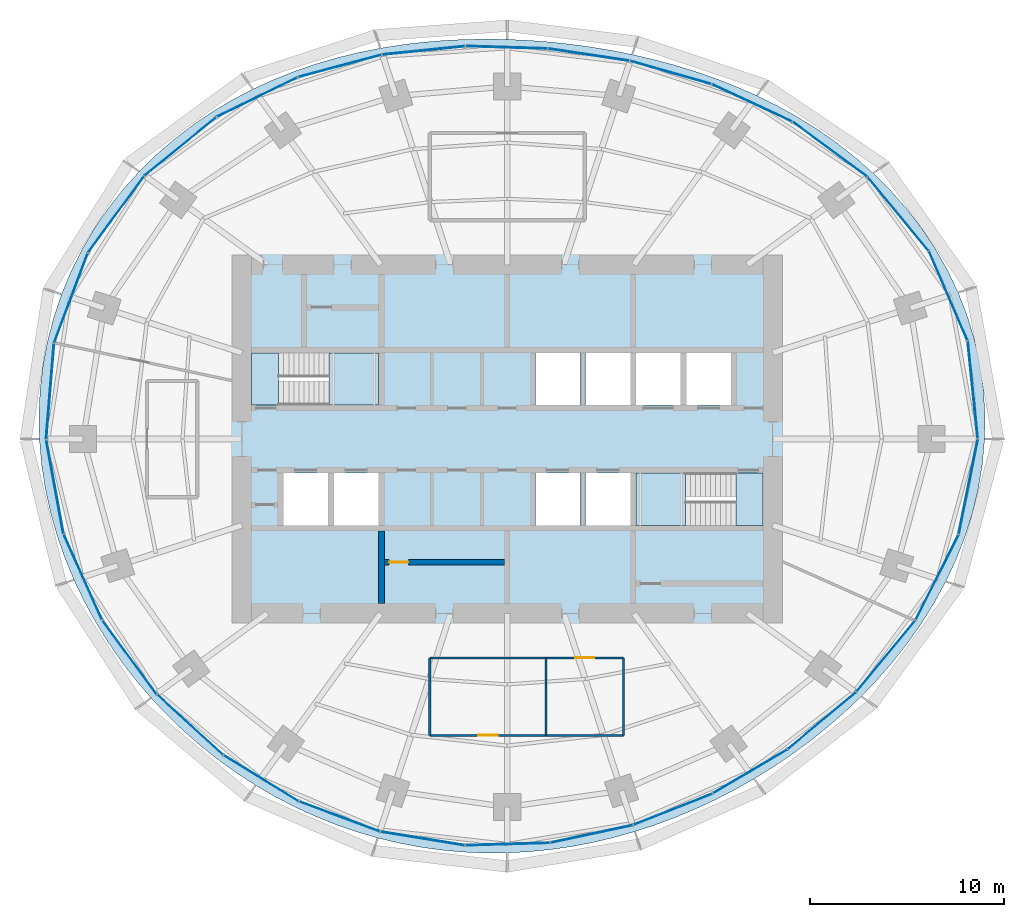
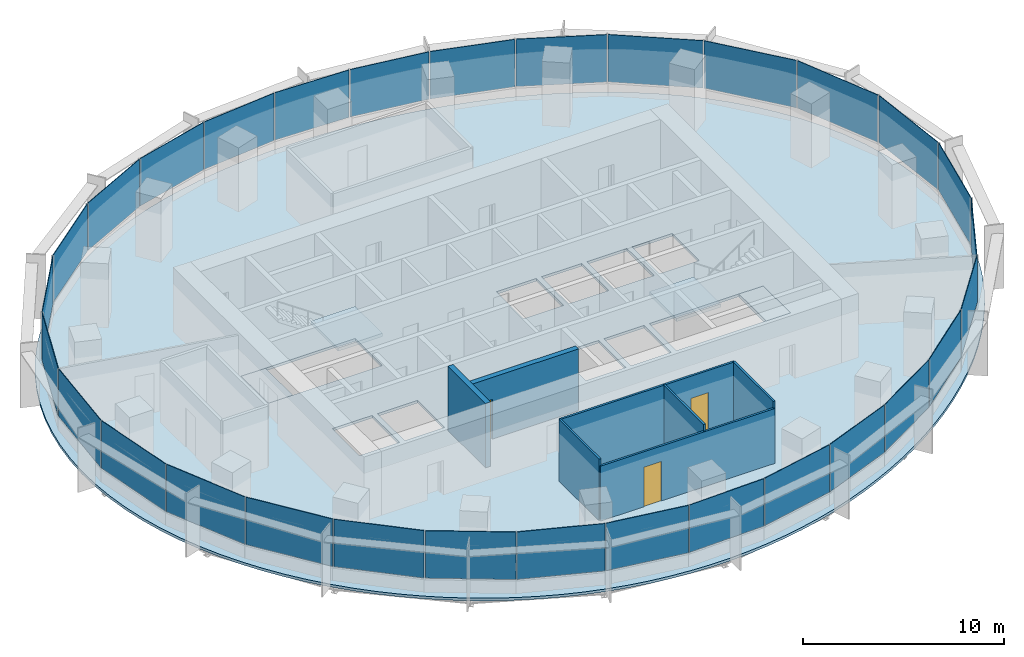
# One storey, part 9 of 14: 30 plates, 7 walls, 5 slabs, 3 doors, 3 openings, 8 elements without a shape of their own.
"""IFC4 building model written with IfcOpenShell, lengths in metres."""

from ifc_helpers import new_model, si_unit, direction, frame, frame_2d, origin, origin_2d, place, context, subcontext, project, spatial, polyline, rectangle, outline, extrude, material, layer, layer_set, type_object, element, fill, aggregate, save


model = new_model("IFC4")

# Units and contexts
model_context = context("Model", 3, precision=1e-05, world=origin(), true_north=direction((0.0, 1.0)))
body_context = subcontext(model_context, "Body", "Model", "MODEL_VIEW")
ifc_project = project(units=[si_unit("LENGTHUNIT", "METRE"), si_unit("AREAUNIT", "SQUARE_METRE"), si_unit("VOLUMEUNIT", "CUBIC_METRE"), si_unit("PLANEANGLEUNIT", "RADIAN"), si_unit("MASSUNIT", "GRAM", prefix="KILO")], contexts=[model_context])

# Site, building, storey
site_placement = place(None, origin())
site = spatial("IfcSite", under=ifc_project, at=site_placement, CompositionType="ELEMENT")
building_placement = place(site_placement, origin())
building = spatial("IfcBuilding", under=site, at=building_placement, Name="Marramba Exchange Tower", CompositionType="ELEMENT")
storey_placement = place(building_placement, frame((0.0, 0.0, 218.89990234375)))
storey = spatial("IfcBuildingStorey", under=building, at=storey_placement, Name="L53", CompositionType="ELEMENT", Elevation=218.89990234375)

# Slab
ifc_material_1 = material(Name="Concrete N40", Category="concrete")
ifc_layer_1 = layer(ifc_material_1, 0.159912109375)
ifc_layer_set_1 = layer_set([ifc_layer_1], Name="Composite floor slab 160")
slab_type_1 = type_object("IfcSlabType", Name="Composite floor slab 160", PredefinedType="FLOOR", material=ifc_layer_set_1)
slab_1_placement = place(storey_placement, frame((0.0, 0.0, -0.159912109375)))
element("IfcSlab", 1, at=slab_1_placement, inside=storey, type_object=slab_type_1, Name="Floor slab L53", PredefinedType="FLOOR", context=body_context, shape_type="SweptSolid", body=[
    extrude(outline(polyline([(24.64404296875, 0.0), (24.661376953125, 1.29248046875), (24.580078125, 2.58349609375), (24.399658203125, 3.864501953125), (24.12109375, 5.127197265625), (23.7470703125, 6.363037109375), (23.281494140625, 7.564697265625), (22.72900390625, 8.724853515625), (22.095947265625, 9.837646484375), (21.388427734375, 10.89794921875), (20.614013671875, 11.901611328125), (19.780029296875, 12.845458984375), (18.894287109375, 13.7275390625), (17.964111328125, 14.547119140625), (16.996826171875, 15.303955078125), (15.9990234375, 15.9990234375), (14.977294921875, 16.634033203125), (13.936767578125, 17.21044921875), (12.882568359375, 17.7314453125), (11.819091796875, 18.19970703125), (10.749267578125, 18.6181640625), (9.67578125, 18.989990234375), (8.60107421875, 19.318115234375), (7.52587890625, 19.60546875), (6.451171875, 19.8544921875), (5.377197265625, 20.067626953125), (4.303466796875, 20.246337890625), (3.229736328125, 20.39208984375), (2.1552734375, 20.50537109375), (1.078857421875, 20.5869140625), (0.0, 20.63623046875), (-1.082275390625, 20.652587890625), (-2.168701171875, 20.634765625), (-3.259765625, 20.580810546875), (-4.35498046875, 20.4892578125), (-5.45458984375, 20.35693359375), (-6.557373046875, 20.181884765625), (-7.662353515625, 19.9609375), (-8.76708984375, 19.691162109375), (-9.869384765625, 19.369873046875), (-10.96630859375, 18.994384765625), (-12.05419921875, 18.561767578125), (-13.128662109375, 18.070068359375), (-14.185546875, 17.517578125), (-15.218994140625, 16.902587890625), (-16.22412109375, 16.22412109375), (-17.195068359375, 15.482421875), (-18.12548828125, 14.677734375), (-19.009521484375, 13.811279296875), (-19.841064453125, 12.885009765625), (-20.614013671875, 11.901611328125), (-21.32275390625, 10.864501953125), (-21.9619140625, 9.778076171875), (-22.52685546875, 8.647216796875), (-23.01318359375, 7.477294921875), (-23.417724609375, 6.274658203125), (-23.73779296875, 5.045654296875), (-23.971923828125, 3.796875), (-24.119384765625, 2.53515625), (-24.180419921875, 1.267333984375), (-24.156005859375, 0.0), (-24.04833984375, -1.26025390625), (-23.860107421875, -2.5078125), (-23.594482421875, -3.737060546875), (-23.25537109375, -4.943115234375), (-22.846923828125, -6.121826171875), (-22.373291015625, -7.26953125), (-21.8388671875, -8.38330078125), (-21.247802734375, -9.460205078125), (-20.604248046875, -10.49853515625), (-19.912109375, -11.496337890625), (-19.174560546875, -12.4521484375), (-18.395263671875, -13.364990234375), (-17.5771484375, -14.233642578125), (-16.72265625, -15.05712890625), (-15.834228515625, -15.834228515625), (-14.914794921875, -16.564453125), (-13.966064453125, -17.24658203125), (-12.990234375, -17.879638671875), (-11.98974609375, -18.46240234375), (-10.96630859375, -18.994384765625), (-9.922607421875, -19.47412109375), (-8.860595703125, -19.901123046875), (-7.78271484375, -20.2744140625), (-6.691162109375, -20.593505859375), (-5.5888671875, -20.858154296875), (-4.478271484375, -21.068115234375), (-3.361328125, -21.22314453125), (-2.2412109375, -21.32373046875), (-1.119873046875, -21.370361328125), (0.0, -21.36376953125), (1.116455078125, -21.3046875), (2.2275390625, -21.194580078125), (3.33154296875, -21.0341796875), (4.426513671875, -20.8251953125), (5.511474609375, -20.56884765625), (6.5849609375, -20.266357421875), (7.646240234375, -19.919189453125), (8.694580078125, -19.528076171875), (9.72900390625, -19.09423828125), (10.749267578125, -18.6181640625), (11.75439453125, -18.100341796875), (12.744140625, -17.541015625), (13.71728515625, -16.939697265625), (14.6728515625, -16.2958984375), (15.609130859375, -15.609130859375), (16.5244140625, -14.878662109375), (17.415771484375, -14.10302734375), (18.280029296875, -13.28125), (19.11376953125, -12.41259765625), (19.912109375, -11.496337890625), (20.669921875, -10.531982421875), (21.3818359375, -9.519775390625), (22.041259765625, -8.4609375), (22.641845703125, -7.356689453125), (23.176513671875, -6.210205078125), (23.638671875, -5.024658203125), (24.022216796875, -3.8046875), (24.32080078125, -2.55615234375), (24.529541015625, -1.28564453125), (24.64404296875, 0.0)]), holes=[polyline([(1.449951171875, 1.75), (3.75, 1.75), (3.75, 4.449951171875), (1.449951171875, 4.449951171875), (1.449951171875, 1.75)]), polyline([(4.050048828125, 1.75), (6.35009765625, 1.75), (6.35009765625, 4.449951171875), (4.050048828125, 4.449951171875), (4.050048828125, 1.75)]), polyline([(1.449951171875, -4.449951171875), (3.75, -4.449951171875), (3.75, -1.75), (1.449951171875, -1.75), (1.449951171875, -4.449951171875)]), polyline([(4.050048828125, -4.449951171875), (6.35009765625, -4.449951171875), (6.35009765625, -1.75), (4.050048828125, -1.75), (4.050048828125, -4.449951171875)]), polyline([(6.64990234375, 1.75), (8.949951171875, 1.75), (8.949951171875, 4.449951171875), (6.64990234375, 4.449951171875), (6.64990234375, 1.75)]), polyline([(-8.949951171875, -4.449951171875), (-6.64990234375, -4.449951171875), (-6.64990234375, -1.75), (-8.949951171875, -1.75), (-8.949951171875, -4.449951171875)]), polyline([(-11.550048828125, -4.449951171875), (-9.25, -4.449951171875), (-9.25, -1.75), (-11.550048828125, -1.75), (-11.550048828125, -4.449951171875)]), polyline([(9.25, 1.75), (11.550048828125, 1.75), (11.550048828125, 4.449951171875), (9.25, 4.449951171875), (9.25, 1.75)]), polyline([(-13.199951171875, 1.75), (-6.64990234375, 1.75), (-6.64990234375, 4.449951171875), (-13.199951171875, 4.449951171875), (-13.199951171875, 1.75)]), polyline([(6.64990234375, -4.449951171875), (13.199951171875, -4.449951171875), (13.199951171875, -1.75), (6.64990234375, -1.75), (6.64990234375, -4.449951171875)])]), origin(), (0.0, 0.0, 1.0), 0.159912109375),
])

# Curtain wall, plates
ifc_material_2 = material(Name="Aluminium framing, bronze anodised", Category="aluminium")
curtain_wall_type = type_object("IfcCurtainWallType", Name="Office ribbon curtain wall", PredefinedType="USERDEFINED", material=ifc_material_2)
curtain_wall_1_placement = place(storey_placement, origin())
curtain_wall_1 = element("IfcCurtainWall", 2, at=curtain_wall_1_placement, inside=storey, type_object=curtain_wall_type, Name="Curtain wall CW4 L53 F01-F05", ObjectType="RIBBON CURTAIN WALL", PredefinedType="USERDEFINED")
ifc_material_3 = material(Name="Laminated double glazed unit 10.76 + 16 + 10.76, bronze tinted", Category="glass")
ifc_layer_2 = layer(ifc_material_3, 0.03759765625)
ifc_layer_set_2 = layer_set([ifc_layer_2], Name="Office ribbon curtain wall panel")
plate_type = type_object("IfcPlateType", Name="Office ribbon curtain wall panel", PredefinedType="CURTAIN_PANEL", material=ifc_layer_set_2)
plate_1_placement = place(storey_placement, frame((24.033203125, 2.556884765625, 0.860107421875), z_axis=(0.0, 0.0, 1.0), x_axis=(-0.101422472607, 0.994843446001, 0.0)))
plate_1 = element("IfcPlate", 3, at=plate_1_placement, type_object=plate_type, Name="CW4 vision panel", PredefinedType="CURTAIN_PANEL", context=body_context, shape_type="SweptSolid", body=[
    extrude(rectangle(XDim=5.0205078125, YDim=0.03759765625, at=origin_2d()), origin(), (0.0, 0.0, 1.0), 2.8798828125),
])
plate_2_placement = place(storey_placement, frame((22.765625, 7.40234375, 0.860107421875), z_axis=(0.0, 0.0, 1.0), x_axis=(-0.396193346946, 0.918167104527, 0.0)))
plate_2 = element("IfcPlate", 4, at=plate_2_placement, type_object=plate_type, Name="CW4 vision panel", PredefinedType="CURTAIN_PANEL", context=body_context, shape_type="SweptSolid", body=[
    extrude(rectangle(XDim=4.99462890625, YDim=0.03759765625, at=origin_2d()), origin(), (0.0, 0.0, 1.0), 2.8798828125),
])
plate_3_placement = place(storey_placement, frame((20.174560546875, 11.631591796875, 0.860107421875), z_axis=(0.0, 0.0, 1.0), x_axis=(-0.637350227411, 0.770574258342, 0.0)))
plate_3 = element("IfcPlate", 5, at=plate_3_placement, type_object=plate_type, Name="CW4 vision panel", PredefinedType="CURTAIN_PANEL", context=body_context, shape_type="SweptSolid", body=[
    extrude(rectangle(XDim=4.90576171875, YDim=0.03759765625, at=origin_2d()), origin(), (0.0, 0.0, 1.0), 2.8798828125),
])
plate_4_placement = place(storey_placement, frame((16.653076171875, 14.965576171875, 0.860107421875), z_axis=(0.0, 0.0, 1.0), x_axis=(-0.804877259395, 0.593441317494, 0.0)))
plate_4 = element("IfcPlate", 6, at=plate_4_placement, type_object=plate_type, Name="CW4 vision panel", PredefinedType="CURTAIN_PANEL", context=body_context, shape_type="SweptSolid", body=[
    extrude(rectangle(XDim=4.745849609375, YDim=0.03759765625, at=origin_2d()), origin(), (0.0, 0.0, 1.0), 2.8798828125),
])
plate_5_placement = place(storey_placement, frame((12.63134765625, 17.357177734375, 0.860107421875), z_axis=(0.0, 0.0, 1.0), x_axis=(-0.906533907301, 0.422133006189, 0.0)))
plate_5 = element("IfcPlate", 7, at=plate_5_placement, type_object=plate_type, Name="CW4 vision panel", PredefinedType="CURTAIN_PANEL", context=body_context, shape_type="SweptSolid", body=[
    extrude(rectangle(XDim=4.53857421875, YDim=0.03759765625, at=origin_2d()), origin(), (0.0, 0.0, 1.0), 2.8798828125),
])
aggregate(curtain_wall_1, [plate_1, plate_2, plate_3, plate_4, plate_5])

curtain_wall_2_placement = place(storey_placement, origin())
curtain_wall_2 = element("IfcCurtainWall", 8, at=curtain_wall_2_placement, inside=storey, type_object=curtain_wall_type, Name="Curtain wall CW4 L53 F06-F10", ObjectType="RIBBON CURTAIN WALL", PredefinedType="USERDEFINED")
plate_6_placement = place(storey_placement, frame((8.4296875, 18.926513671875, 0.860107421875), z_axis=(0.0, 0.0, 1.0), x_axis=(-0.961658954195, 0.274248164656, 0.0)))
plate_6 = element("IfcPlate", 9, at=plate_6_placement, type_object=plate_type, Name="CW4 vision panel", PredefinedType="CURTAIN_PANEL", context=body_context, shape_type="SweptSolid", body=[
    extrude(rectangle(XDim=4.33984375, YDim=0.03759765625, at=origin_2d()), origin(), (0.0, 0.0, 1.0), 2.8798828125),
])
plate_7_placement = place(storey_placement, frame((4.201171875, 19.843994140625, 0.860107421875), z_axis=(0.0, 0.0, 1.0), x_axis=(-0.988868065698, 0.148794988635, 0.0)))
plate_7 = element("IfcPlate", 10, at=plate_7_placement, type_object=plate_type, Name="CW4 vision panel", PredefinedType="CURTAIN_PANEL", context=body_context, shape_type="SweptSolid", body=[
    extrude(rectangle(XDim=4.2119140625, YDim=0.03759765625, at=origin_2d()), origin(), (0.0, 0.0, 1.0), 2.8798828125),
])
plate_8_placement = place(storey_placement, frame((-0.036865234375, 20.222900390625, 0.860107421875), z_axis=(0.0, 0.0, 1.0), x_axis=(-0.999538000143, 0.03039385249, 0.0)))
plate_8 = element("IfcPlate", 11, at=plate_8_placement, type_object=plate_type, Name="CW4 vision panel", PredefinedType="CURTAIN_PANEL", context=body_context, shape_type="SweptSolid", body=[
    extrude(rectangle(XDim=4.19287109375, YDim=0.03759765625, at=origin_2d()), origin(), (0.0, 0.0, 1.0), 2.8798828125),
])
plate_9_placement = place(storey_placement, frame((-4.320556640625, 20.064697265625, 0.860107421875), z_axis=(0.0, 0.0, 1.0), x_axis=(-0.994900357369, -0.100862673507, 0.0)))
plate_9 = element("IfcPlate", 12, at=plate_9_placement, type_object=plate_type, Name="CW4 vision panel", PredefinedType="CURTAIN_PANEL", context=body_context, shape_type="SweptSolid", body=[
    extrude(rectangle(XDim=4.279296875, YDim=0.03759765625, at=origin_2d()), origin(), (0.0, 0.0, 1.0), 2.8798828125),
])
plate_10_placement = place(storey_placement, frame((-8.6494140625, 19.262451171875, 0.860107421875), z_axis=(0.0, 0.0, 1.0), x_axis=(-0.966240653155, -0.257641223778, 0.0)))
plate_10 = element("IfcPlate", 13, at=plate_10_placement, type_object=plate_type, Name="CW4 vision panel", PredefinedType="CURTAIN_PANEL", context=body_context, shape_type="SweptSolid", body=[
    extrude(rectangle(XDim=4.433837890625, YDim=0.03759765625, at=origin_2d()), origin(), (0.0, 0.0, 1.0), 2.8798828125),
])
aggregate(curtain_wall_2, [plate_6, plate_7, plate_8, plate_9, plate_10])

curtain_wall_3_placement = place(storey_placement, origin())
curtain_wall_3 = element("IfcCurtainWall", 14, at=curtain_wall_3_placement, inside=storey, type_object=curtain_wall_type, Name="Curtain wall CW4 L53 F11-F15", ObjectType="RIBBON CURTAIN WALL", PredefinedType="USERDEFINED")
plate_11_placement = place(storey_placement, frame((-12.9150390625, 17.653564453125, 0.860107421875), z_axis=(0.0, 0.0, 1.0), x_axis=(-0.898500518805, -0.438972456661, 0.0)))
plate_11 = element("IfcPlate", 15, at=plate_11_placement, type_object=plate_type, Name="CW4 vision panel", PredefinedType="CURTAIN_PANEL", context=body_context, shape_type="SweptSolid", body=[
    extrude(rectangle(XDim=4.607177734375, YDim=0.03759765625, at=origin_2d()), origin(), (0.0, 0.0, 1.0), 2.8798828125),
])
plate_12_placement = place(storey_placement, frame((-16.87890625, 15.10498046875, 0.860107421875), z_axis=(0.0, 0.0, 1.0), x_axis=(-0.776432169145, -0.630200830464, 0.0)))
plate_12 = element("IfcPlate", 16, at=plate_12_placement, type_object=plate_type, Name="CW4 vision panel", PredefinedType="CURTAIN_PANEL", context=body_context, shape_type="SweptSolid", body=[
    extrude(rectangle(XDim=4.7587890625, YDim=0.03759765625, at=origin_2d()), origin(), (0.0, 0.0, 1.0), 2.8798828125),
])
plate_13_placement = place(storey_placement, frame((-20.2021484375, 11.596435546875, 0.860107421875), z_axis=(0.0, 0.0, 1.0), x_axis=(-0.591962922138, -0.805965197024, 0.0)))
plate_13 = element("IfcPlate", 17, at=plate_13_placement, type_object=plate_type, Name="CW4 vision panel", PredefinedType="CURTAIN_PANEL", context=body_context, shape_type="SweptSolid", body=[
    extrude(rectangle(XDim=4.865478515625, YDim=0.03759765625, at=origin_2d()), origin(), (0.0, 0.0, 1.0), 2.8798828125),
])
plate_14_placement = place(storey_placement, frame((-22.529296875, 7.276123046875, 0.860107421875), z_axis=(0.0, 0.0, 1.0), x_axis=(-0.351951515885, -0.936018231909, 0.0)))
plate_14 = element("IfcPlate", 18, at=plate_14_placement, type_object=plate_type, Name="CW4 vision panel", PredefinedType="CURTAIN_PANEL", context=body_context, shape_type="SweptSolid", body=[
    extrude(rectangle(XDim=4.921630859375, YDim=0.03759765625, at=origin_2d()), origin(), (0.0, 0.0, 1.0), 2.8798828125),
])
plate_15_placement = place(storey_placement, frame((-23.603271484375, 2.45654296875, 0.860107421875), z_axis=(0.0, 0.0, 1.0), x_axis=(-0.082280890264, -0.996609178714, 0.0)))
plate_15 = element("IfcPlate", 19, at=plate_15_placement, type_object=plate_type, Name="CW4 vision panel", PredefinedType="CURTAIN_PANEL", context=body_context, shape_type="SweptSolid", body=[
    extrude(rectangle(XDim=4.9296875, YDim=0.03759765625, at=origin_2d()), origin(), (0.0, 0.0, 1.0), 2.8798828125),
])
aggregate(curtain_wall_3, [plate_11, plate_12, plate_13, plate_14, plate_15])

curtain_wall_4_placement = place(storey_placement, origin())
curtain_wall_4 = element("IfcCurtainWall", 20, at=curtain_wall_4_placement, inside=storey, type_object=curtain_wall_type, Name="Curtain wall CW4 L53 F16-F20", ObjectType="RIBBON CURTAIN WALL", PredefinedType="USERDEFINED")
plate_16_placement = place(storey_placement, frame((-23.354248046875, -2.464599609375, 0.860107421875), z_axis=(0.0, 0.0, 1.0), x_axis=(0.180327438996, -0.983606636184, 0.0)))
plate_16 = element("IfcPlate", 21, at=plate_16_placement, type_object=plate_type, Name="CW4 vision panel", PredefinedType="CURTAIN_PANEL", context=body_context, shape_type="SweptSolid", body=[
    extrude(rectangle(XDim=4.8916015625, YDim=0.03759765625, at=origin_2d()), origin(), (0.0, 0.0, 1.0), 2.8798828125),
])
plate_17_placement = place(storey_placement, frame((-21.908447265625, -7.12158203125, 0.860107421875), z_axis=(0.0, 0.0, 1.0), x_axis=(0.407557580942, -0.913179510401, 0.0)))
plate_17 = element("IfcPlate", 22, at=plate_17_placement, type_object=plate_type, Name="CW4 vision panel", PredefinedType="CURTAIN_PANEL", context=body_context, shape_type="SweptSolid", body=[
    extrude(rectangle(XDim=4.810302734375, YDim=0.03759765625, at=origin_2d()), origin(), (0.0, 0.0, 1.0), 2.8798828125),
])
plate_18_placement = place(storey_placement, frame((-19.50244140625, -11.2626953125, 0.860107421875), z_axis=(0.0, 0.0, 1.0), x_axis=(0.591223103363, -0.806508054547, 0.0)))
plate_18 = element("IfcPlate", 23, at=plate_18_placement, type_object=plate_type, Name="CW4 vision panel", PredefinedType="CURTAIN_PANEL", context=body_context, shape_type="SweptSolid", body=[
    extrude(rectangle(XDim=4.703125, YDim=0.03759765625, at=origin_2d()), origin(), (0.0, 0.0, 1.0), 2.8798828125),
])
plate_19_placement = place(storey_placement, frame((-16.374267578125, -14.752197265625, 0.860107421875), z_axis=(0.0, 0.0, 1.0), x_axis=(0.737203264245, -0.67567103474, 0.0)))
plate_19 = element("IfcPlate", 24, at=plate_19_placement, type_object=plate_type, Name="CW4 vision panel", PredefinedType="CURTAIN_PANEL", context=body_context, shape_type="SweptSolid", body=[
    extrude(rectangle(XDim=4.594970703125, YDim=0.03759765625, at=origin_2d()), origin(), (0.0, 0.0, 1.0), 2.8798828125),
])
plate_20_placement = place(storey_placement, frame((-12.71044921875, -17.513427734375, 0.860107421875), z_axis=(0.0, 0.0, 1.0), x_axis=(0.85230101176, -0.52305160869, 0.0)))
plate_20 = element("IfcPlate", 25, at=plate_20_placement, type_object=plate_type, Name="CW4 vision panel", PredefinedType="CURTAIN_PANEL", context=body_context, shape_type="SweptSolid", body=[
    extrude(rectangle(XDim=4.503173828125, YDim=0.03759765625, at=origin_2d()), origin(), (0.0, 0.0, 1.0), 2.8798828125),
])
aggregate(curtain_wall_4, [plate_16, plate_17, plate_18, plate_19, plate_20])

curtain_wall_5_placement = place(storey_placement, origin())
curtain_wall_5 = element("IfcCurtainWall", 26, at=curtain_wall_5_placement, inside=storey, type_object=curtain_wall_type, Name="Curtain wall CW4 L53 F21-F25", ObjectType="RIBBON CURTAIN WALL", PredefinedType="USERDEFINED")
plate_21_placement = place(storey_placement, frame((-8.6591796875, -19.486572265625, 0.860107421875), z_axis=(0.0, 0.0, 1.0), x_axis=(0.936951583142, -0.349459197687, 0.0)))
plate_21 = element("IfcPlate", 27, at=plate_21_placement, type_object=plate_type, Name="CW4 vision panel", PredefinedType="CURTAIN_PANEL", context=body_context, shape_type="SweptSolid", body=[
    extrude(rectangle(XDim=4.431396484375, YDim=0.03759765625, at=origin_2d()), origin(), (0.0, 0.0, 1.0), 2.8798828125),
])
plate_22_placement = place(storey_placement, frame((-4.3642578125, -20.623046875, 0.860107421875), z_axis=(0.0, 0.0, 1.0), x_axis=(0.986930623159, -0.161145726194, 0.0)))
plate_22 = element("IfcPlate", 28, at=plate_22_placement, type_object=plate_type, Name="CW4 vision panel", PredefinedType="CURTAIN_PANEL", context=body_context, shape_type="SweptSolid", body=[
    extrude(rectangle(XDim=4.37646484375, YDim=0.03759765625, at=origin_2d()), origin(), (0.0, 0.0, 1.0), 2.8798828125),
])
plate_23_placement = place(storey_placement, frame((0.023193359375, -20.91015625, 0.860107421875), z_axis=(0.0, 0.0, 1.0), x_axis=(0.99956791915, 0.029393451762, 0.0)))
plate_23 = element("IfcPlate", 29, at=plate_23_placement, type_object=plate_type, Name="CW4 vision panel", PredefinedType="CURTAIN_PANEL", context=body_context, shape_type="SweptSolid", body=[
    extrude(rectangle(XDim=4.337646484375, YDim=0.03759765625, at=origin_2d()), origin(), (0.0, 0.0, 1.0), 2.8798828125),
])
plate_24_placement = place(storey_placement, frame((4.36328125, -20.3837890625, 0.860107421875), z_axis=(0.0, 0.0, 1.0), x_axis=(0.978058069607, 0.208332456608, 0.0)))
plate_24 = element("IfcPlate", 30, at=plate_24_placement, type_object=plate_type, Name="CW4 vision panel", PredefinedType="CURTAIN_PANEL", context=body_context, shape_type="SweptSolid", body=[
    extrude(rectangle(XDim=4.32177734375, YDim=0.03759765625, at=origin_2d()), origin(), (0.0, 0.0, 1.0), 2.8798828125),
])
plate_25_placement = place(storey_placement, frame((8.553466796875, -19.11328125, 0.860107421875), z_axis=(0.0, 0.0, 1.0), x_axis=(0.93007301435, 0.367374724195, 0.0)))
plate_25 = element("IfcPlate", 31, at=plate_25_placement, type_object=plate_type, Name="CW4 vision panel", PredefinedType="CURTAIN_PANEL", context=body_context, shape_type="SweptSolid", body=[
    extrude(rectangle(XDim=4.345458984375, YDim=0.03759765625, at=origin_2d()), origin(), (0.0, 0.0, 1.0), 2.8798828125),
])
aggregate(curtain_wall_5, [plate_21, plate_22, plate_23, plate_24, plate_25])

curtain_wall_6_placement = place(storey_placement, origin())
curtain_wall_6 = element("IfcCurtainWall", 32, at=curtain_wall_6_placement, inside=storey, type_object=curtain_wall_type, Name="Curtain wall CW4 L53 F26-F30", ObjectType="RIBBON CURTAIN WALL", PredefinedType="USERDEFINED")
plate_26_placement = place(storey_placement, frame((12.5322265625, -17.16015625, 0.860107421875), z_axis=(0.0, 0.0, 1.0), x_axis=(0.861350833897, 0.508010571686, 0.0)))
plate_26 = element("IfcPlate", 33, at=plate_26_placement, type_object=plate_type, Name="CW4 vision panel", PredefinedType="CURTAIN_PANEL", context=body_context, shape_type="SweptSolid", body=[
    extrude(rectangle(XDim=4.426513671875, YDim=0.03759765625, at=origin_2d()), origin(), (0.0, 0.0, 1.0), 2.8798828125),
])
plate_27_placement = place(storey_placement, frame((16.240966796875, -14.536376953125, 0.860107421875), z_axis=(0.0, 0.0, 1.0), x_axis=(0.768736798421, 0.639565270127, 0.0)))
plate_27 = element("IfcPlate", 34, at=plate_27_placement, type_object=plate_type, Name="CW4 vision panel", PredefinedType="CURTAIN_PANEL", context=body_context, shape_type="SweptSolid", body=[
    extrude(rectangle(XDim=4.568603515625, YDim=0.03759765625, at=origin_2d()), origin(), (0.0, 0.0, 1.0), 2.8798828125),
])
plate_28_placement = place(storey_placement, frame((19.548583984375, -11.203369140625, 0.860107421875), z_axis=(0.0, 0.0, 1.0), x_axis=(0.63814998673, 0.769912069289, 0.0)))
plate_28 = element("IfcPlate", 35, at=plate_28_placement, type_object=plate_type, Name="CW4 vision panel", PredefinedType="CURTAIN_PANEL", context=body_context, shape_type="SweptSolid", body=[
    extrude(rectangle(XDim=4.7431640625, YDim=0.03759765625, at=origin_2d()), origin(), (0.0, 0.0, 1.0), 2.8798828125),
])
plate_29_placement = place(storey_placement, frame((22.19287109375, -7.137939453125, 0.860107421875), z_axis=(0.0, 0.0, 1.0), x_axis=(0.450673083956, 0.892689067591, 0.0)))
plate_29 = element("IfcPlate", 36, at=plate_29_placement, type_object=plate_type, Name="CW4 vision panel", PredefinedType="CURTAIN_PANEL", context=body_context, shape_type="SweptSolid", body=[
    extrude(rectangle(XDim=4.897705078125, YDim=0.03759765625, at=origin_2d()), origin(), (0.0, 0.0, 1.0), 2.8798828125),
])
plate_30_placement = place(storey_placement, frame((23.801025390625, -2.446533203125, 0.860107421875), z_axis=(0.0, 0.0, 1.0), x_axis=(0.197495405316, 0.980303812539, 0.0)))
plate_30 = element("IfcPlate", 37, at=plate_30_placement, type_object=plate_type, Name="CW4 vision panel", PredefinedType="CURTAIN_PANEL", context=body_context, shape_type="SweptSolid", body=[
    extrude(rectangle(XDim=4.9912109375, YDim=0.03759765625, at=origin_2d()), origin(), (0.0, 0.0, 1.0), 2.8798828125),
])
aggregate(curtain_wall_6, [plate_26, plate_27, plate_28, plate_29, plate_30])

# Stair, slabs
ifc_material_4 = material(Name="Concrete N40 (40 MPa)", Category="concrete")
stair_type_1 = type_object("IfcStairType", Name="Exit stair ST1 3900 x 1250", PredefinedType="HALF_TURN_STAIR", material=ifc_material_4)
stair_1_placement = place(storey_placement, origin())
stair_1 = element("IfcStair", 38, at=stair_1_placement, inside=storey, type_object=stair_type_1, Name="Exit stair ST1 L53", PredefinedType="HALF_TURN_STAIR")
ifc_layer_3 = layer(ifc_material_4, 0.199951171875)
ifc_layer_set_3 = layer_set([ifc_layer_3], Name="Stair landing 200")
slab_type_2 = type_object("IfcSlabType", Name="Stair landing 200", PredefinedType="LANDING", material=ifc_layer_set_3)
slab_2_placement = place(storey_placement, frame((0.0, 0.0, -0.199951171875)))
slab_2 = element("IfcSlab", 39, at=slab_2_placement, type_object=slab_type_2, Name="ST1 landing 1", PredefinedType="LANDING", context=body_context, shape_type="SweptSolid", body=[
    extrude(outline(polyline([(-13.199951171875, 1.75), (-11.800048828125, 1.75), (-11.800048828125, 4.449951171875), (-13.199951171875, 4.449951171875), (-13.199951171875, 1.75)])), origin(), (0.0, 0.0, 1.0), 0.199951171875),
])
slab_3_placement = place(storey_placement, frame((0.0, 0.0, 1.75)))
slab_3 = element("IfcSlab", 40, at=slab_3_placement, type_object=slab_type_2, Name="ST1 landing 2", PredefinedType="LANDING", context=body_context, shape_type="SweptSolid", body=[
    extrude(outline(polyline([(-9.199951171875, 1.75), (-6.64990234375, 1.75), (-6.64990234375, 4.449951171875), (-9.199951171875, 4.449951171875), (-9.199951171875, 1.75)])), origin(), (0.0, 0.0, 1.0), 0.2001953125),
])
aggregate(stair_1, [slab_2, slab_3])

stair_type_2 = type_object("IfcStairType", Name="Exit stair ST2 3900 x 1250", PredefinedType="HALF_TURN_STAIR", material=ifc_material_4)
stair_2_placement = place(storey_placement, origin())
stair_2 = element("IfcStair", 41, at=stair_2_placement, inside=storey, type_object=stair_type_2, Name="Exit stair ST2 L53", PredefinedType="HALF_TURN_STAIR")
slab_4_placement = place(storey_placement, frame((0.0, 0.0, -0.199951171875)))
slab_4 = element("IfcSlab", 42, at=slab_4_placement, type_object=slab_type_2, Name="ST2 landing 1", PredefinedType="LANDING", context=body_context, shape_type="SweptSolid", body=[
    extrude(outline(polyline([(11.800048828125, -4.449951171875), (13.199951171875, -4.449951171875), (13.199951171875, -1.75), (11.800048828125, -1.75), (11.800048828125, -4.449951171875)])), origin(), (0.0, 0.0, 1.0), 0.199951171875),
])
slab_5_placement = place(storey_placement, frame((0.0, 0.0, 1.75)))
slab_5 = element("IfcSlab", 43, at=slab_5_placement, type_object=slab_type_2, Name="ST2 landing 2", PredefinedType="LANDING", context=body_context, shape_type="SweptSolid", body=[
    extrude(outline(polyline([(6.64990234375, -4.449951171875), (9.199951171875, -4.449951171875), (9.199951171875, -1.75), (6.64990234375, -1.75), (6.64990234375, -4.449951171875)])), origin(), (0.0, 0.0, 1.0), 0.2001953125),
])
aggregate(stair_2, [slab_4, slab_5])

# Walls
ifc_material_5 = material(Name="Concrete N50", Category="concrete")
ifc_layer_4 = layer(ifc_material_5, 0.300048828125)
ifc_layer_set_4 = layer_set([ifc_layer_4], Name="Core wall 300")
wall_type_1 = type_object("IfcWallType", Name="Core wall 300", PredefinedType="SHEAR", material=ifc_layer_set_4)
wall_1_placement = place(storey_placement, frame((-6.5, -4.75, 0.0), z_axis=(0.0, 0.0, 1.0), x_axis=(0.0, -1.0, 0.0)))
element("IfcWall", 44, at=wall_1_placement, inside=storey, type_object=wall_type_1, Name="Core wall X0Sb L53", PredefinedType="SHEAR", context=body_context, shape_type="SweptSolid", body=[
    extrude(rectangle(XDim=3.75, YDim=0.300048828125, at=frame_2d((1.875, 0.0))), origin(), (0.0, 0.0, 1.0), 3.900146484375),
])
ifc_material_6 = material(Name="Plasterboard on steel studs", Category="steel")
ifc_layer_5 = layer(ifc_material_6, 0.1201171875)
ifc_layer_set_5 = layer_set([ifc_layer_5], Name="Partition 120")
wall_type_2 = type_object("IfcWallType", Name="Partition 120", PredefinedType="PARTITIONING", material=ifc_layer_set_5)
wall_2_placement = place(storey_placement, frame((-4.0, -15.300048828125, 0.0), z_axis=(0.0, 0.0, 1.0), x_axis=(0.0, 1.0, 0.0)))
element("IfcWall", 45, at=wall_2_placement, inside=storey, type_object=wall_type_2, Name="Partition L53 02", PredefinedType="PARTITIONING", context=body_context, shape_type="SweptSolid", body=[
    extrude(rectangle(XDim=4.0, YDim=0.1201171875, at=frame_2d((2.0, 0.0))), origin(), (0.0, 0.0, 1.0), 3.739990234375),
])

# Wall, opening, door
wall_3_placement = place(storey_placement, frame((6.0, -15.300048828125, 0.0), z_axis=(0.0, 0.0, 1.0), x_axis=(-1.0, 0.0, 0.0)))
wall_3 = element("IfcWall", 46, at=wall_3_placement, inside=storey, type_object=wall_type_2, Name="Partition L53 03", PredefinedType="PARTITIONING", context=body_context, shape_type="SweptSolid", body=[
    extrude(rectangle(XDim=10.0, YDim=0.1201171875, at=frame_2d((5.0, 0.0))), origin(), (0.0, 0.0, 1.0), 3.333984375),
])
opening_1_placement = place(wall_3_placement, frame((6.5, 0.0, 0.0)))
opening_1 = element("IfcOpeningElement", 47, at=opening_1_placement, cuts=wall_3, Name="Opening D9", PredefinedType="OPENING", context=body_context, shape_type="SweptSolid", body=[
    extrude(rectangle(XDim=1.0, YDim=2.39990234375, at=frame_2d((0.5, 1.199951171875))), frame((0.0, 0.070068359375, 0.0), z_axis=(0.0, -1.0, 0.0), x_axis=(1.0, 0.0, 0.0)), (0.0, 0.0, 1.0), 0.14013671875),
])
ifc_material_7 = material(Name="Timber door", Category="wood")
door_type = type_object("IfcDoorType", Name="Room door 1000x2400", OperationType="SINGLE_SWING_LEFT", PredefinedType="DOOR", material=ifc_material_7)
door_1_placement = place(opening_1_placement, frame((1.0, 0.0, 0.0), z_axis=(0.0, 0.0, 1.0), x_axis=(-1.0, 0.0, 0.0)))
door_1 = element("IfcDoor", 48, at=door_1_placement, inside=storey, type_object=door_type, Name="D9 Pantry L53", OperationType="SINGLE_SWING_RIGHT", OverallHeight=2.39990234375, OverallWidth=1.0, PredefinedType="DOOR", context=body_context, shape_type="SweptSolid", body=[
    extrude(rectangle(XDim=1.0, YDim=2.39990234375, at=frame_2d((0.5, 1.199951171875))), frame((0.0, 0.025146484375, 0.0), z_axis=(0.0, -1.0, 0.0), x_axis=(1.0, 0.0, 0.0)), (0.0, 0.0, 1.0), 0.050048828125),
])
fill(opening_1, door_1)

wall_4_placement = place(storey_placement, frame((-4.0, -11.300048828125, 0.0), z_axis=(0.0, 0.0, 1.0), x_axis=(1.0, 0.0, 0.0)))
wall_4 = element("IfcWall", 49, at=wall_4_placement, inside=storey, type_object=wall_type_2, Name="Partition L53 04", PredefinedType="PARTITIONING", context=body_context, shape_type="SweptSolid", body=[
    extrude(rectangle(XDim=10.0, YDim=0.1201171875, at=frame_2d((5.0, 0.0))), origin(), (0.0, 0.0, 1.0), 3.739990234375),
])
opening_2_placement = place(wall_4_placement, frame((7.5, 0.0, 0.0)))
opening_2 = element("IfcOpeningElement", 50, at=opening_2_placement, cuts=wall_4, Name="Opening D9", PredefinedType="OPENING", context=body_context, shape_type="SweptSolid", body=[
    extrude(rectangle(XDim=1.0, YDim=2.39990234375, at=frame_2d((0.5, 1.199951171875))), frame((0.0, 0.070068359375, 0.0), z_axis=(0.0, -1.0, 0.0), x_axis=(1.0, 0.0, 0.0)), (0.0, 0.0, 1.0), 0.14013671875),
])
door_2_placement = place(opening_2_placement, frame((1.0, 0.0, 0.0), z_axis=(0.0, 0.0, 1.0), x_axis=(-1.0, 0.0, 0.0)))
door_2 = element("IfcDoor", 51, at=door_2_placement, inside=storey, type_object=door_type, Name="D9 Print Room L53", OperationType="SINGLE_SWING_RIGHT", OverallHeight=2.39990234375, OverallWidth=1.0, PredefinedType="DOOR", context=body_context, shape_type="SweptSolid", body=[
    extrude(rectangle(XDim=1.0, YDim=2.39990234375, at=frame_2d((0.5, 1.199951171875))), frame((0.0, 0.025146484375, 0.0), z_axis=(0.0, -1.0, 0.0), x_axis=(1.0, 0.0, 0.0)), (0.0, 0.0, 1.0), 0.050048828125),
])
fill(opening_2, door_2)

# Walls
for number, where, z_axis, x_axis, name in (
    (52, (2.0, -11.300048828125, 0.0), (0.0, 0.0, 1.0), (0.0, -1.0, 0.0), "Partition L53 05"),
    (53, (6.0, -11.300048828125, 0.0), (0.0, 0.0, 1.0), (0.0, -1.0, 0.0), "Partition L53 06"),
):
    element("IfcWall", number, at=place(storey_placement, frame(where, z_axis=z_axis, x_axis=x_axis)), inside=storey, type_object=wall_type_2, Name=name, PredefinedType="PARTITIONING", context=body_context, shape_type="SweptSolid", body=[
        extrude(rectangle(XDim=4.0, YDim=0.1201171875, at=frame_2d((2.0, 0.0))), origin(), (0.0, 0.0, 1.0), 3.739990234375),
    ])

# Wall, opening, door
ifc_material_8 = material(Name="Plasterboard on steel studs, insulated, unrated", Category="steel")
ifc_layer_6 = layer(ifc_material_8, 0.300048828125)
ifc_layer_set_6 = layer_set([ifc_layer_6], Name="Store partition 300")
wall_type_3 = type_object("IfcWallType", Name="Store partition 300", PredefinedType="PARTITIONING", material=ifc_layer_set_6)
wall_5_placement = place(storey_placement, frame((-6.35009765625, -6.360107421875, 0.0), z_axis=(0.0, 0.0, 1.0), x_axis=(1.0, 0.0, 0.0)))
wall_5 = element("IfcWall", 54, at=wall_5_placement, inside=storey, type_object=wall_type_3, Name="Store partition L53 store", PredefinedType="PARTITIONING", context=body_context, shape_type="SweptSolid", body=[
    extrude(rectangle(XDim=6.2001953125, YDim=0.300048828125, at=frame_2d((3.10009765625, 0.0))), origin(), (0.0, 0.0, 1.0), 3.739990234375),
])
opening_3_placement = place(wall_5_placement, frame((0.25, 0.0, 0.0)))
opening_3 = element("IfcOpeningElement", 55, at=opening_3_placement, cuts=wall_5, Name="Opening D9", PredefinedType="OPENING", context=body_context, shape_type="SweptSolid", body=[
    extrude(rectangle(XDim=1.0, YDim=2.39990234375, at=frame_2d((0.5, 1.199951171875))), frame((0.0, 0.159912109375, 0.0), z_axis=(0.0, -1.0, 0.0), x_axis=(1.0, 0.0, 0.0)), (0.0, 0.0, 1.0), 0.320068359375),
])
door_3_placement = place(opening_3_placement, origin())
door_3 = element("IfcDoor", 56, at=door_3_placement, inside=storey, type_object=door_type, Name="D9 stationery store L53", OperationType="SINGLE_SWING_LEFT", OverallHeight=2.39990234375, OverallWidth=1.0, PredefinedType="DOOR", context=body_context, shape_type="SweptSolid", body=[
    extrude(rectangle(XDim=1.0, YDim=2.39990234375, at=frame_2d((0.5, 1.199951171875))), frame((0.0, 0.02490234375, 0.0), z_axis=(0.0, -1.0, 0.0), x_axis=(1.0, 0.0, 0.0)), (0.0, 0.0, 1.0), 0.050048828125),
])
fill(opening_3, door_3)

save(model, "model.ifc")
